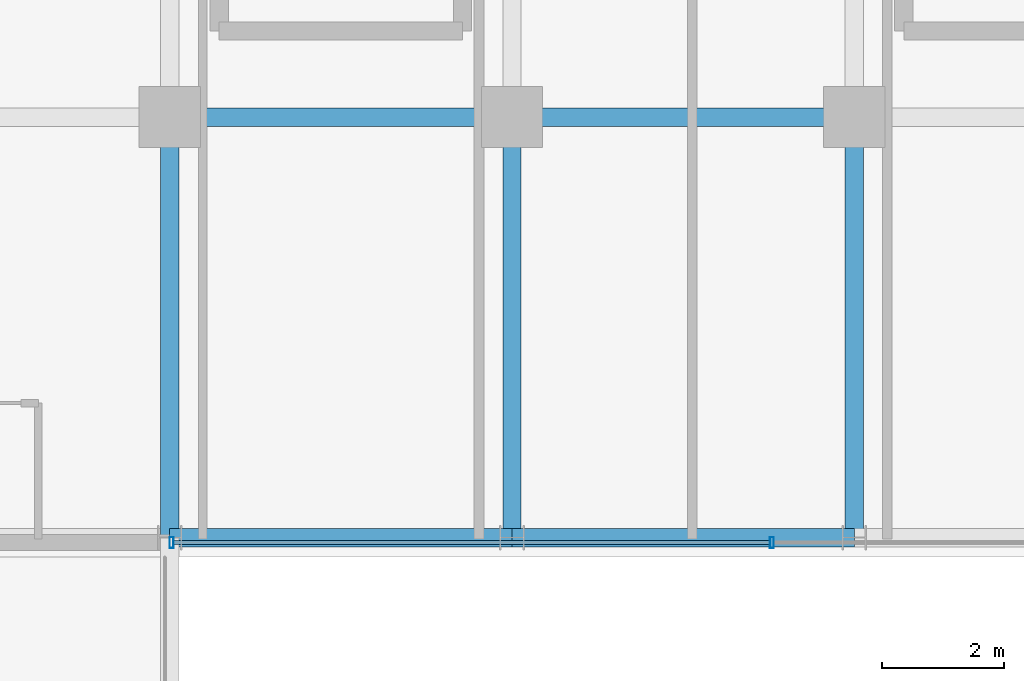
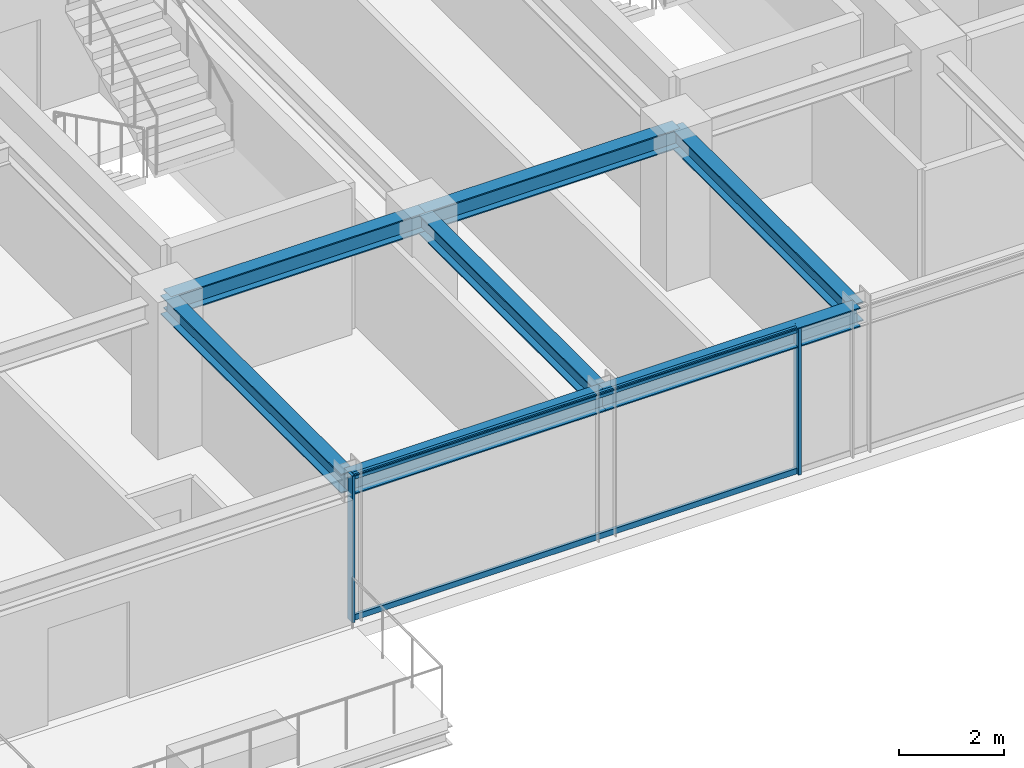
# One storey, part 7 of 35: 7 beams, 4 members, 1 element without a shape of its own.
"""IFC4 building model written with IfcOpenShell, lengths in metres."""

from ifc_helpers import new_model, si_unit, direction, frame, origin, origin_2d, place, context, subcontext, project, spatial, hollow_rectangle, i_section, extrude, source, transform, mapped, material, material_profile, profile_set, type_object, element, aggregate, save


model = new_model("IFC4")

# Units and contexts
model_context = context("Model", 3, precision=1e-05, world=origin(), true_north=direction((0.0, 1.0)))
body_context = subcontext(model_context, "Body", "Model", "MODEL_VIEW")
ifc_project = project(units=[si_unit("LENGTHUNIT", "METRE"), si_unit("AREAUNIT", "SQUARE_METRE"), si_unit("VOLUMEUNIT", "CUBIC_METRE"), si_unit("PLANEANGLEUNIT", "RADIAN"), si_unit("MASSUNIT", "GRAM", prefix="KILO")], contexts=[model_context])

# Site, building, storey
site_placement = place(None, origin())
site = spatial("IfcSite", under=ifc_project, at=site_placement, CompositionType="ELEMENT")
building_placement = place(site_placement, origin())
building = spatial("IfcBuilding", under=site, at=building_placement, Name="Nahalor Promenade Grand Hotel", CompositionType="ELEMENT")
storey_placement = place(building_placement, frame((0.0, 0.0, 245.60009765625)))
storey = spatial("IfcBuildingStorey", under=building, at=storey_placement, Name="L63", CompositionType="ELEMENT", Elevation=245.60009765625)

# Beams
ifc_material_1 = material(Name="Steel S355JR", Category="steel")
ifc_material_profile_1 = material_profile(ifc_material_1, i_section(OverallWidth=0.3, OverallDepth=0.45, WebThickness=0.014, FlangeThickness=0.026, at=origin_2d()), Name="HEB 450")
ifc_profile_set_1 = profile_set([ifc_material_profile_1], Name="Steel S355JR")
beam_type_1 = type_object("IfcBeamType", Name="Beam-Spandrel-HEB450", PredefinedType="SPANDREL", material=ifc_profile_set_1)
shared_shape_1 = source(origin(), body_context, "Body", "SweptSolid", [
    extrude(i_section(OverallWidth=0.3, OverallDepth=0.45, WebThickness=0.014, FlangeThickness=0.026, at=origin_2d()), origin(), (0.0, 0.0, 1.0), 5.599853515625),
])
beam_1_placement = place(storey_placement, frame((-8.39990234375, -23.8798828125, 3.184814453125), z_axis=(1.0, 0.0, 0.0), x_axis=(0.0, 1.0, 0.0)))
element("IfcBeam", 1, at=beam_1_placement, inside=storey, type_object=beam_type_1, Name="BM-L63-SP-S-1", PredefinedType="SPANDREL", context=body_context, shape_type="MappedRepresentation", body=[
    mapped(shared_shape_1, transform((0.0, 0.0, 0.0), scale=1.0)),
])
shared_shape_2 = source(origin(), body_context, "Body", "SweptSolid", [
    extrude(i_section(OverallWidth=0.3, OverallDepth=0.45, WebThickness=0.014, FlangeThickness=0.026, at=origin_2d()), origin(), (0.0, 0.0, 1.0), 5.60009765625),
])
beam_2_placement = place(storey_placement, frame((-2.800048828125, -23.8798828125, 3.184814453125), z_axis=(1.0, 0.0, 0.0), x_axis=(0.0, 1.0, 0.0)))
element("IfcBeam", 2, at=beam_2_placement, inside=storey, type_object=beam_type_1, Name="BM-L63-SP-S-2", PredefinedType="SPANDREL", context=body_context, shape_type="MappedRepresentation", body=[
    mapped(shared_shape_2, transform((0.0, 0.0, 0.0), scale=1.0)),
])
ifc_material_profile_2 = material_profile(ifc_material_1, i_section(OverallWidth=0.3, OverallDepth=0.45, WebThickness=0.014, FlangeThickness=0.026, at=origin_2d()), Name="HEB 450")
ifc_profile_set_2 = profile_set([ifc_material_profile_2], Name="Steel S355JR")
beam_type_2 = type_object("IfcBeamType", Name="Beam-Girder-HEB450", PredefinedType="BEAM", material=ifc_profile_set_2)
shared_shape_3 = source(origin(), body_context, "Body", "SweptSolid", [
    extrude(i_section(OverallWidth=0.3, OverallDepth=0.45, WebThickness=0.014, FlangeThickness=0.026, at=origin_2d()), origin(), (0.0, 0.0, 1.0), 6.8798828125),
])
for number, where, z_axis, x_axis, name in (
    (3, (-8.39990234375, -23.8798828125, 3.184814453125), (0.0, 1.0, 0.0), (-1.0, 0.0, 0.0), "BM-L63-GY-1-0"),
    (4, (-2.800048828125, -23.8798828125, 3.184814453125), (0.0, 1.0, 0.0), (-1.0, 0.0, 0.0), "BM-L63-GY-2-0"),
    (5, (2.800048828125, -23.8798828125, 3.184814453125), (0.0, 1.0, 0.0), (-1.0, 0.0, 0.0), "BM-L63-GY-3-0"),
):
    element("IfcBeam", number, at=place(storey_placement, frame(where, z_axis=z_axis, x_axis=x_axis)), inside=storey, type_object=beam_type_2, Name=name, PredefinedType="BEAM", context=body_context, shape_type="MappedRepresentation", body=[
        mapped(shared_shape_3, transform((0.0, 0.0, 0.0), scale=1.0)),
    ])
shared_shape_4 = source(origin(), body_context, "Body", "SweptSolid", [
    extrude(i_section(OverallWidth=0.3, OverallDepth=0.45, WebThickness=0.014, FlangeThickness=0.026, at=origin_2d()), origin(), (0.0, 0.0, 1.0), 5.599853515625),
])
beam_3_placement = place(storey_placement, frame((-8.39990234375, -17.0, 3.184814453125), z_axis=(1.0, 0.0, 0.0), x_axis=(0.0, 1.0, 0.0)))
element("IfcBeam", 6, at=beam_3_placement, inside=storey, type_object=beam_type_2, Name="BM-L63-GX-0-2", PredefinedType="BEAM", context=body_context, shape_type="MappedRepresentation", body=[
    mapped(shared_shape_4, transform((0.0, 0.0, 0.0), scale=1.0)),
])
shared_shape_5 = source(origin(), body_context, "Body", "SweptSolid", [
    extrude(i_section(OverallWidth=0.3, OverallDepth=0.45, WebThickness=0.014, FlangeThickness=0.026, at=origin_2d()), origin(), (0.0, 0.0, 1.0), 5.60009765625),
])
beam_4_placement = place(storey_placement, frame((-2.800048828125, -17.0, 3.184814453125), z_axis=(1.0, 0.0, 0.0), x_axis=(0.0, 1.0, 0.0)))
element("IfcBeam", 7, at=beam_4_placement, inside=storey, type_object=beam_type_2, Name="BM-L63-GX-0-3", PredefinedType="BEAM", context=body_context, shape_type="MappedRepresentation", body=[
    mapped(shared_shape_5, transform((0.0, 0.0, 0.0), scale=1.0)),
])

# Curtain wall, members
ifc_material_2 = material(Name="Anodised Bronze Aluminium EN AW-6063 T6", Category="aluminium")
curtain_wall_type = type_object("IfcCurtainWallType", Name="CW2 Typical Hotel Flush Bronze Unitised Curtain Wall", PredefinedType="USERDEFINED", material=ifc_material_2)
curtain_wall_placement = place(storey_placement, origin())
curtain_wall = element("IfcCurtainWall", 8, at=curtain_wall_placement, inside=storey, type_object=curtain_wall_type, Name="L63 Curtain Wall CW-L63-S-3", ObjectType="UNITISED_CURTAIN_WALL", PredefinedType="USERDEFINED")
ifc_material_profile_3 = material_profile(ifc_material_2, hollow_rectangle(XDim=0.065, YDim=0.13, WallThickness=0.004, at=origin_2d()), Name="CWT 65x130x4")
ifc_profile_set_3 = profile_set([ifc_material_profile_3], Name="Anodised Bronze Aluminium EN AW-6063 T6")
member_type_1 = type_object("IfcMemberType", Name="CWT2 Typical Bronze Transom 65x130", PredefinedType="USERDEFINED", material=ifc_profile_set_3)
shared_shape_6 = source(origin(), body_context, "Body", "SweptSolid", [
    extrude(hollow_rectangle(XDim=0.065, YDim=0.13, WallThickness=0.004, at=origin_2d()), origin(), (0.0, 0.0, 1.0), 9.755859375),
])
member_1_placement = place(storey_placement, frame((-8.3349609375, -23.9599609375, 0.06494140625), z_axis=(1.0, 0.0, 0.0), x_axis=(0.0, 1.0, 0.0)))
member_1 = element("IfcMember", 9, at=member_1_placement, type_object=member_type_1, Name="CW-L63-S-3 Transom 0-0", ObjectType="TRANSOM", PredefinedType="USERDEFINED", context=body_context, shape_type="MappedRepresentation", body=[
    mapped(shared_shape_6, transform((0.0, 0.0, 0.0), scale=1.0)),
])
member_2_placement = place(storey_placement, frame((-8.3349609375, -23.9599609375, 3.344970703125), z_axis=(1.0, 0.0, 0.0), x_axis=(0.0, 1.0, 0.0)))
member_2 = element("IfcMember", 10, at=member_2_placement, type_object=member_type_1, Name="CW-L63-S-3 Transom 0-1", ObjectType="TRANSOM", PredefinedType="USERDEFINED", context=body_context, shape_type="MappedRepresentation", body=[
    mapped(shared_shape_6, transform((0.0, 0.0, 0.0), scale=1.0)),
])
ifc_material_profile_4 = material_profile(ifc_material_2, hollow_rectangle(XDim=0.065, YDim=0.18, WallThickness=0.004, at=origin_2d()), Name="CWM 65x180x4")
ifc_profile_set_4 = profile_set([ifc_material_profile_4], Name="Anodised Bronze Aluminium EN AW-6063 T6")
member_type_2 = type_object("IfcMemberType", Name="CWM2 Typical Bronze Mullion 65x180", PredefinedType="MULLION", material=ifc_profile_set_4)
shared_shape_7 = source(origin(), body_context, "Body", "SweptSolid", [
    extrude(hollow_rectangle(XDim=0.065, YDim=0.18, WallThickness=0.004, at=origin_2d()), origin(), (0.0, 0.0, 1.0), 3.409912109375),
])
member_3_placement = place(storey_placement, frame((-8.367431640625, -23.9599609375, 0.0), z_axis=(0.0, 0.0, 1.0), x_axis=(1.0, 0.0, 0.0)))
member_3 = element("IfcMember", 11, at=member_3_placement, type_object=member_type_2, Name="CW-L63-S-3 Mullion 0", PredefinedType="MULLION", context=body_context, shape_type="MappedRepresentation", body=[
    mapped(shared_shape_7, transform((0.0, 0.0, 0.0), scale=1.0)),
])
member_4_placement = place(storey_placement, frame((1.453369140625, -23.9599609375, 0.0), z_axis=(0.0, 0.0, 1.0), x_axis=(1.0, 0.0, 0.0)))
member_4 = element("IfcMember", 12, at=member_4_placement, type_object=member_type_2, Name="CW-L63-S-3 Mullion 1", PredefinedType="MULLION", context=body_context, shape_type="MappedRepresentation", body=[
    mapped(shared_shape_7, transform((0.0, 0.0, 0.0), scale=1.0)),
])
aggregate(curtain_wall, [member_3, member_4, member_1, member_2])

save(model, "model.ifc")
